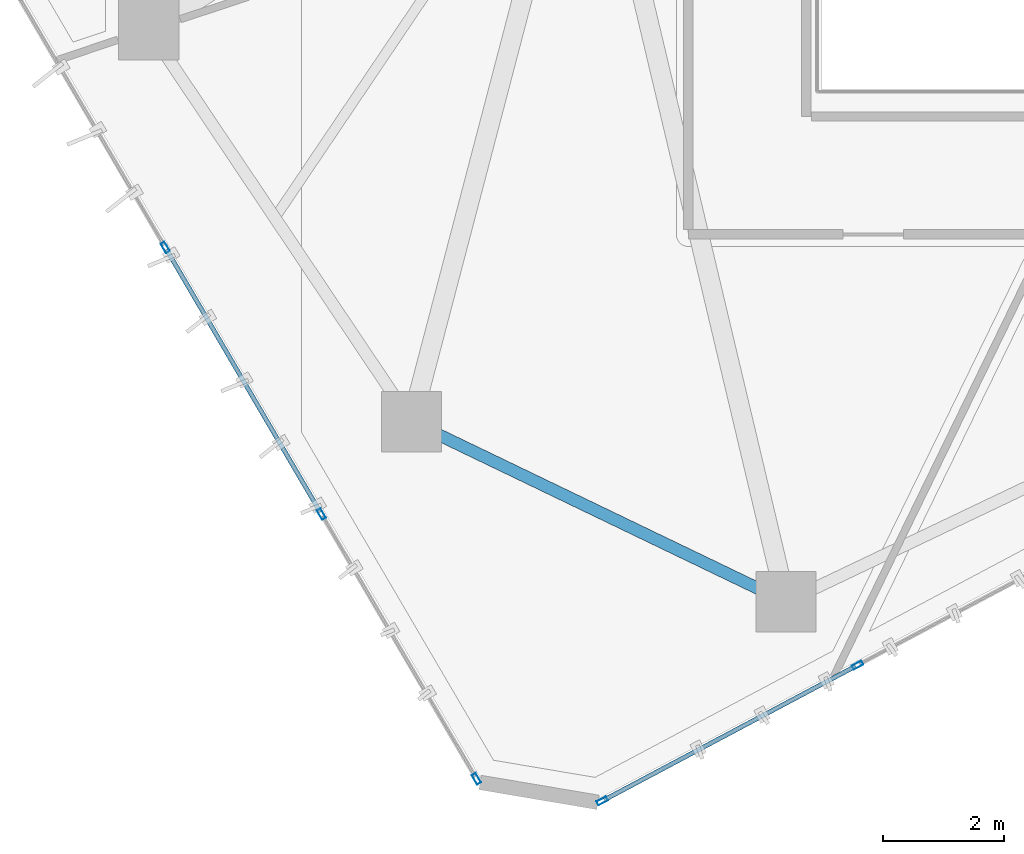
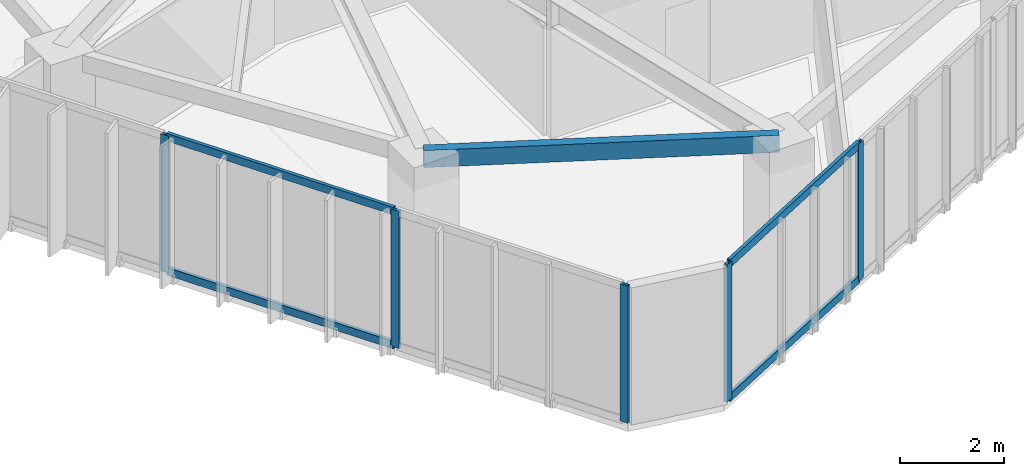
# One storey, part 2 of 19: 9 members, 1 beam, 2 elements without a shape of their own.
"""IFC4 building model written with IfcOpenShell, lengths in metres."""

from ifc_helpers import new_model, si_unit, direction, frame, origin, origin_2d, place, context, subcontext, project, spatial, hollow_rectangle, extrude, source, transform, mapped, material, layer, layer_set, material_profile, profile_set, type_object, type_shapes, element, aggregate, save


model = new_model("IFC4")

# Units and contexts
model_context = context("Model", 3, precision=1e-05, world=origin(), true_north=direction((0.0, 1.0)))
body_context = subcontext(model_context, "Body", "Model", "MODEL_VIEW")
ifc_project = project(units=[si_unit("LENGTHUNIT", "METRE"), si_unit("AREAUNIT", "SQUARE_METRE"), si_unit("VOLUMEUNIT", "CUBIC_METRE"), si_unit("PLANEANGLEUNIT", "RADIAN"), si_unit("MASSUNIT", "GRAM", prefix="KILO")], contexts=[model_context])

# Site, building, storey
site_placement = place(None, origin())
site = spatial("IfcSite", under=ifc_project, at=site_placement, CompositionType="ELEMENT")
building_placement = place(site_placement, origin())
building = spatial("IfcBuilding", under=site, at=building_placement, Name="Talar Marvaseh", CompositionType="ELEMENT")
storey_placement = place(building_placement, frame((0.0, 0.0, 174.0)))
storey = spatial("IfcBuildingStorey", under=building, at=storey_placement, Name="L45", CompositionType="ELEMENT", Elevation=174.0)

# Beam
ifc_material_1 = material(Name="Steel S355", Category="steel")
ifc_material_profile_1 = material_profile(ifc_material_1, hollow_rectangle(XDim=0.199951171875, YDim=0.39990234375, WallThickness=0.013916015625, at=origin_2d()), Name="RHS400x200x14")
ifc_profile_set_1 = profile_set([ifc_material_profile_1], Name="Steel S355")
beam_type = type_object("IfcBeamType", Name="Zone 3 Perimeter Spandrel Beam RHS400x200x14", PredefinedType="SPANDREL", material=ifc_profile_set_1)
beam_placement = place(storey_placement, frame((22.014892578125, 11.51904296875, 3.030029296875), z_axis=(-0.901071562993, 0.433670425975, 0.0), x_axis=(-0.433670425975, -0.901071562993, 0.0)))
element("IfcBeam", 1, at=beam_placement, inside=storey, type_object=beam_type, Name="L45 Zone 3 Perimeter Spandrel Beam RHS400x200x14", PredefinedType="SPANDREL", context=body_context, shape_type="SweptSolid", body=[
    extrude(hollow_rectangle(XDim=0.199951171875, YDim=0.39990234375, WallThickness=0.013916015625, at=origin_2d()), origin(), (0.0, 0.0, 1.0), 6.8759765625),
])

# Curtain wall, members
ifc_material_2 = material(Name="Architectural Aluminium", Category="aluminium")
ifc_layer = layer(ifc_material_2, 0.18994140625)
ifc_layer_set = layer_set([ifc_layer], Name="Architectural Aluminium")
curtain_wall_type = type_object("IfcCurtainWallType", Name="Unitised Solar Atelier Curtain Wall Z3", PredefinedType="NOTDEFINED", material=ifc_layer_set)
curtain_wall_1_placement = place(storey_placement, origin())
curtain_wall_1 = element("IfcCurtainWall", 2, at=curtain_wall_1_placement, inside=storey, type_object=curtain_wall_type, Name="L45 Unitised Solar Atelier Curtain Wall Z3", PredefinedType="NOTDEFINED")
ifc_material_profile_2 = material_profile(ifc_material_2, hollow_rectangle(XDim=0.074951171875, YDim=0.179931640625, WallThickness=0.0048828125, at=origin_2d()), Name="RHS180x75x5")
ifc_profile_set_2 = profile_set([ifc_material_profile_2], Name="Architectural Aluminium")
member_type_1 = type_object("IfcMemberType", Name="Unitised Curtain Wall Standard Mullion RHS180x75x5", PredefinedType="MULLION", material=ifc_profile_set_2)
shared_shape_1 = source(origin(), body_context, "Body", "SweptSolid", [
    extrude(hollow_rectangle(XDim=0.074951171875, YDim=0.179931640625, WallThickness=0.0048828125, at=origin_2d()), origin(), (0.0, 0.0, 1.0), 3.22998046875),
])
type_shapes(member_type_1, [shared_shape_1])
member_1_placement = place(storey_placement, frame((16.892822265625, 8.5927734375, 0.0), z_axis=(0.0, 0.0, 1.0), x_axis=(-0.862986669281, -0.505226690352, 0.0)))
member_1 = element("IfcMember", 3, at=member_1_placement, type_object=member_type_1, Name="CW-Z3 mullion 1", PredefinedType="MULLION", context=body_context, shape_type="MappedRepresentation", body=[
    mapped(shared_shape_1, transform((0.0, 0.0, 0.0), x_axis=(1.0, 0.0, 0.0), y_axis=(0.0, 1.0, 0.0), z_axis=(0.0, 0.0, 1.0), scale=1.0)),
])
member_2_placement = place(storey_placement, frame((14.328369140625, 12.972900390625, 0.0), z_axis=(0.0, 0.0, 1.0), x_axis=(-0.862986669281, -0.505226690352, 0.0)))
member_2 = element("IfcMember", 4, at=member_2_placement, type_object=member_type_1, Name="CW-Z3 mullion 2", PredefinedType="MULLION", context=body_context, shape_type="MappedRepresentation", body=[
    mapped(shared_shape_1, transform((0.0, 0.0, 0.0), x_axis=(1.0, 0.0, 0.0), y_axis=(0.0, 1.0, 0.0), z_axis=(0.0, 0.0, 1.0), scale=1.0)),
])
member_3_placement = place(storey_placement, frame((11.7451171875, 17.38525390625, 0.0), z_axis=(0.0, 0.0, 1.0), x_axis=(-0.862986669281, -0.505226690352, 0.0)))
member_3 = element("IfcMember", 5, at=member_3_placement, type_object=member_type_1, Name="CW-Z3 mullion 3", PredefinedType="MULLION", context=body_context, shape_type="MappedRepresentation", body=[
    mapped(shared_shape_1, transform((0.0, 0.0, 0.0), x_axis=(1.0, 0.0, 0.0), y_axis=(0.0, 1.0, 0.0), z_axis=(0.0, 0.0, 1.0), scale=1.0)),
])

curtain_wall_2_placement = place(storey_placement, origin())
curtain_wall_2 = element("IfcCurtainWall", 6, at=curtain_wall_2_placement, inside=storey, type_object=curtain_wall_type, Name="L45 Unitised Solar Atelier Curtain Wall Z3", PredefinedType="NOTDEFINED")
member_4_placement = place(storey_placement, frame((23.19921875, 10.47314453125, 0.0), z_axis=(0.0, 0.0, 1.0), x_axis=(0.469609791642, -0.882874081392, 0.0)))
member_4 = element("IfcMember", 7, at=member_4_placement, type_object=member_type_1, Name="CW-Z3 mullion 4", PredefinedType="MULLION", context=body_context, shape_type="MappedRepresentation", body=[
    mapped(shared_shape_1, transform((0.0, 0.0, 0.0), x_axis=(1.0, 0.0, 0.0), y_axis=(0.0, 1.0, 0.0), z_axis=(0.0, 0.0, 1.0), scale=1.0)),
])
member_5_placement = place(storey_placement, frame((18.97509765625, 8.226318359375, 0.0), z_axis=(0.0, 0.0, 1.0), x_axis=(0.469609791642, -0.882874081392, 0.0)))
member_5 = element("IfcMember", 8, at=member_5_placement, type_object=member_type_1, Name="CW-Z3 mullion 5", PredefinedType="MULLION", context=body_context, shape_type="MappedRepresentation", body=[
    mapped(shared_shape_1, transform((0.0, 0.0, 0.0), x_axis=(1.0, 0.0, 0.0), y_axis=(0.0, 1.0, 0.0), z_axis=(0.0, 0.0, 1.0), scale=1.0)),
])

# Member
ifc_material_profile_3 = material_profile(ifc_material_2, hollow_rectangle(XDim=0.074951171875, YDim=0.179931640625, WallThickness=0.0048828125, at=origin_2d()), Name="RHS180x75x5")
ifc_profile_set_3 = profile_set([ifc_material_profile_3], Name="Architectural Aluminium")
member_type_2 = type_object("IfcMemberType", Name="Unitised Curtain Wall Transom RHS180x75x5", PredefinedType="USERDEFINED", material=ifc_profile_set_3)
shared_shape_2 = source(origin(), body_context, "Body", "SweptSolid", [
    extrude(hollow_rectangle(XDim=0.074951171875, YDim=0.179931640625, WallThickness=0.0048828125, at=origin_2d()), origin(), (0.0, 0.0, 1.0), 5.0380859375),
])
member_6_placement = place(storey_placement, frame((14.3095703125, 13.005126953125, 0.03759765625), z_axis=(-0.505223214612, 0.862988704107, 0.0), x_axis=(-0.862988704107, -0.505223214612, 0.0)))
member_6 = element("IfcMember", 9, at=member_6_placement, type_object=member_type_2, Name="CW-Z3 transom 2.1", ObjectType="TRANSOM", PredefinedType="USERDEFINED", context=body_context, shape_type="MappedRepresentation", body=[
    mapped(shared_shape_2, transform((0.0, 0.0, 0.0), x_axis=(1.0, 0.0, 0.0), y_axis=(0.0, 1.0, 0.0), z_axis=(0.0, 0.0, 1.0), scale=1.0)),
])

member_7_placement = place(storey_placement, frame((14.3095703125, 13.005126953125, 3.1923828125), z_axis=(-0.505223214612, 0.862988704107, 0.0), x_axis=(-0.862988704107, -0.505223214612, 0.0)))
member_7 = element("IfcMember", 10, at=member_7_placement, type_object=member_type_2, Name="CW-Z3 transom 2.2", ObjectType="TRANSOM", PredefinedType="USERDEFINED", context=body_context, shape_type="MappedRepresentation", body=[
    mapped(shared_shape_2, transform((0.0, 0.0, 0.0), x_axis=(1.0, 0.0, 0.0), y_axis=(0.0, 1.0, 0.0), z_axis=(0.0, 0.0, 1.0), scale=1.0)),
])

aggregate(curtain_wall_1, [member_1, member_2, member_3, member_6, member_7])

shared_shape_3 = source(origin(), body_context, "Body", "SweptSolid", [
    extrude(hollow_rectangle(XDim=0.074951171875, YDim=0.179931640625, WallThickness=0.0048828125, at=origin_2d()), origin(), (0.0, 0.0, 1.0), 4.70947265625),
])
type_shapes(member_type_2, [shared_shape_2, shared_shape_3])
member_8_placement = place(storey_placement, frame((23.166015625, 10.45556640625, 0.03759765625), z_axis=(-0.882873303792, -0.469611253541, 0.0), x_axis=(0.469611253541, -0.882873303792, 0.0)))
member_8 = element("IfcMember", 11, at=member_8_placement, type_object=member_type_2, Name="CW-Z3 transom 4.1", ObjectType="TRANSOM", PredefinedType="USERDEFINED", context=body_context, shape_type="MappedRepresentation", body=[
    mapped(shared_shape_3, transform((0.0, 0.0, 0.0), x_axis=(1.0, 0.0, 0.0), y_axis=(0.0, 1.0, 0.0), z_axis=(0.0, 0.0, 1.0), scale=1.0)),
])

member_9_placement = place(storey_placement, frame((23.166015625, 10.45556640625, 3.1923828125), z_axis=(-0.882873303792, -0.469611253541, 0.0), x_axis=(0.469611253541, -0.882873303792, 0.0)))
member_9 = element("IfcMember", 12, at=member_9_placement, type_object=member_type_2, Name="CW-Z3 transom 4.2", ObjectType="TRANSOM", PredefinedType="USERDEFINED", context=body_context, shape_type="MappedRepresentation", body=[
    mapped(shared_shape_3, transform((0.0, 0.0, 0.0), x_axis=(1.0, 0.0, 0.0), y_axis=(0.0, 1.0, 0.0), z_axis=(0.0, 0.0, 1.0), scale=1.0)),
])

aggregate(curtain_wall_2, [member_4, member_5, member_8, member_9])

save(model, "model.ifc")
